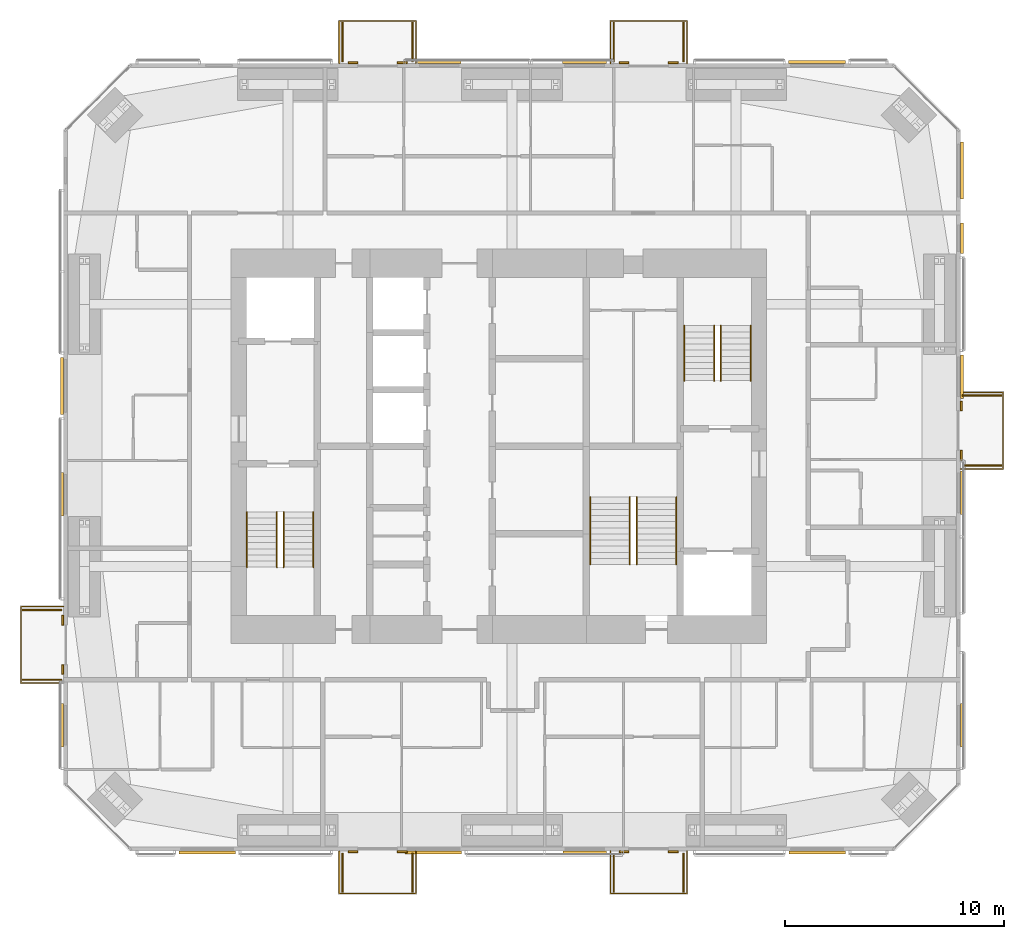
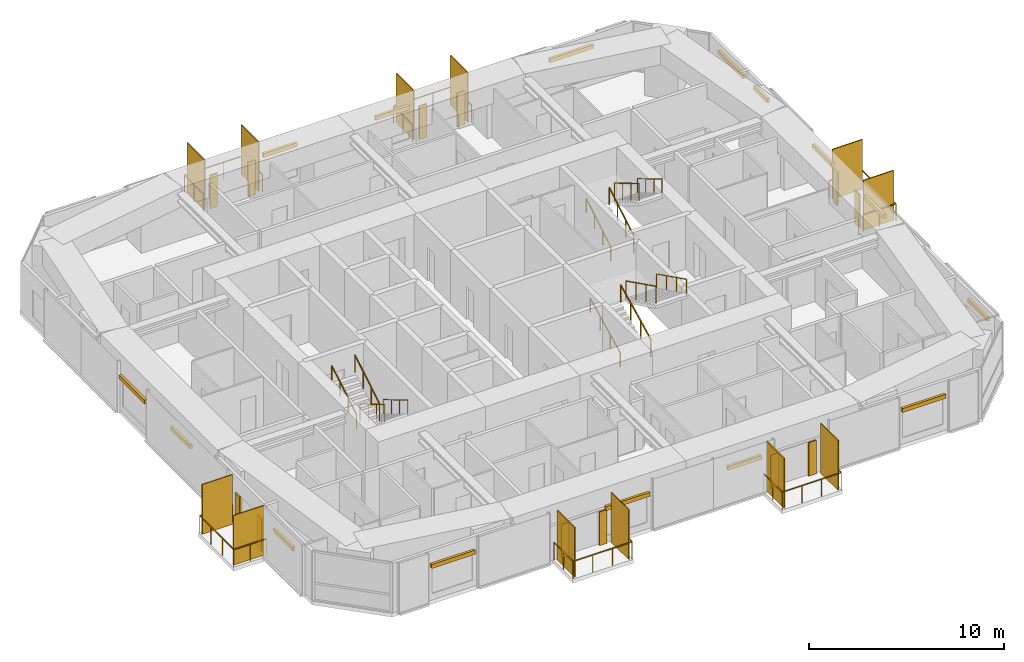
# One storey, part 22 of 22: 39 shading devices, 18 railings.
"""IFC4 building model written with IfcOpenShell, lengths in metres."""

from ifc_helpers import new_model, si_unit, direction, frame, origin, origin_2d, place, context, subcontext, project, spatial, rectangle, circle, extrude, material, layer, layer_set, constituent, constituent_set, type_object, element, save


model = new_model("IFC4")

# Units and contexts
model_context = context("Model", 3, precision=1e-05, world=origin(), true_north=direction((0.0, 1.0)))
body_context = subcontext(model_context, "Body", "Model", "MODEL_VIEW")
ifc_project = project(units=[si_unit("LENGTHUNIT", "METRE"), si_unit("AREAUNIT", "SQUARE_METRE"), si_unit("VOLUMEUNIT", "CUBIC_METRE"), si_unit("PLANEANGLEUNIT", "RADIAN"), si_unit("MASSUNIT", "GRAM", prefix="KILO")], contexts=[model_context])

# Site, building, storey
site_placement = place(None, origin())
site = spatial("IfcSite", under=ifc_project, at=site_placement, CompositionType="ELEMENT")
building_placement = place(site_placement, origin())
building = spatial("IfcBuilding", under=site, at=building_placement, Name="Jalousie Tower", CompositionType="ELEMENT")
storey_placement = place(building_placement, frame((0.0, 0.0, 177.800048828125)))
storey = spatial("IfcBuildingStorey", under=building, at=storey_placement, Name="L48", CompositionType="ELEMENT", Elevation=177.800048828125)

# Shading devices
ifc_material_1 = material(Name="Aluminium impact-rated louvred storm shutter", Category="aluminium")
shading_device_type_1 = type_object("IfcShadingDeviceType", Name="BI-FOLD STORM SHUTTER 900x2100", PredefinedType="SHUTTER", material=ifc_material_1)
for number, where, z_axis, x_axis, name in (
    (1, (25.22509765625, -0.0400390625, 0.0), (0.0, 0.0, 1.0), (1.0, 0.0, 0.0), "Balcony storm shutter L48"),
    (2, (27.47509765625, -0.0400390625, 0.0), (0.0, 0.0, 1.0), (1.0, 0.0, 0.0), "Balcony storm shutter L48"),
    (3, (37.625, -0.0400390625, 0.0), (0.0, 0.0, 1.0), (1.0, 0.0, 0.0), "Balcony storm shutter L48"),
    (4, (39.875, -0.0400390625, 0.0), (0.0, 0.0, 1.0), (1.0, 0.0, 0.0), "Balcony storm shutter L48"),
    (5, (53.0400390625, 18.10009765625, 0.0), (0.0, 0.0, 1.0), (0.0, 1.0, 0.0), "Balcony storm shutter L48"),
    (6, (53.0400390625, 20.35009765625, 0.0), (0.0, 0.0, 1.0), (0.0, 1.0, 0.0), "Balcony storm shutter L48"),
    (7, (39.875, 36.0400390625, 0.0), (0.0, 0.0, 1.0), (-1.0, 0.0, 0.0), "Balcony storm shutter L48"),
    (8, (37.625, 36.0400390625, 0.0), (0.0, 0.0, 1.0), (-1.0, 0.0, 0.0), "Balcony storm shutter L48"),
    (9, (27.47509765625, 36.0400390625, 0.0), (0.0, 0.0, 1.0), (-1.0, 0.0, 0.0), "Balcony storm shutter L48"),
    (10, (25.22509765625, 36.0400390625, 0.0), (0.0, 0.0, 1.0), (-1.0, 0.0, 0.0), "Balcony storm shutter L48"),
    (11, (11.9599609375, 10.550048828125, 0.0), (0.0, 0.0, 1.0), (0.0, -1.0, 0.0), "Balcony storm shutter L48"),
    (12, (11.9599609375, 8.300048828125, 0.0), (0.0, 0.0, 1.0), (0.0, -1.0, 0.0), "Balcony storm shutter L48"),
):
    element("IfcShadingDevice", number, at=place(storey_placement, frame(where, z_axis=z_axis, x_axis=x_axis)), inside=storey, type_object=shading_device_type_1, Name=name, PredefinedType="SHUTTER", context=body_context, shape_type="SweptSolid", body=[
        extrude(rectangle(XDim=0.449951171875, YDim=0.080078125, at=origin_2d()), origin(), (0.0, 0.0, 1.0), 2.10009765625),
    ])

# Railings
ifc_material_2 = material(Name="Powder-coated aluminium fretwork", Category="aluminium")
railing_type_1 = type_object("IfcRailingType", Name="FRETWORK BALUSTRADE 1100", PredefinedType="BALUSTRADE", material=ifc_material_2)
for number, where, name in (
    (13, (24.60009765625, 0.0, 0.0), "Balcony fretwork balustrade L48"),
    (14, (37.0, 0.0, 0.0), "Balcony fretwork balustrade L48"),
):
    element("IfcRailing", number, at=place(storey_placement, frame(where)), inside=storey, type_object=railing_type_1, Name=name, PredefinedType="BALUSTRADE", context=body_context, shape_type="SweptSolid", body=[
        extrude(rectangle(XDim=0.048095703125, YDim=0.048095703125, at=origin_2d()), frame((0.0, 0.0, 1.076171875), z_axis=(0.0, -1.0, 0.0), x_axis=(1.0, 0.0, 0.0)), (0.0, 0.0, 1.0), 1.949951171875),
        extrude(rectangle(XDim=0.048095703125, YDim=0.048095703125, at=origin_2d()), frame((0.0, -1.949951171875, 1.076171875), z_axis=(1.0, 0.0, 0.0), x_axis=(0.0, 1.0, 0.0)), (0.0, 0.0, 1.0), 3.5),
        extrude(rectangle(XDim=0.048095703125, YDim=0.048095703125, at=origin_2d()), frame((3.5, -1.949951171875, 1.076171875), z_axis=(0.0, 1.0, 0.0), x_axis=(-1.0, 0.0, 0.0)), (0.0, 0.0, 1.0), 1.949951171875),
        extrude(circle(Radius=0.02099609375, at=origin_2d()), origin(), (0.0, 0.0, 1.0), 1.052001953125),
        extrude(circle(Radius=0.02099609375, at=origin_2d()), frame((0.0, -0.97509765625, 0.0)), (0.0, 0.0, 1.0), 1.052001953125),
        extrude(circle(Radius=0.02099609375, at=origin_2d()), frame((0.0, -1.949951171875, 0.0)), (0.0, 0.0, 1.0), 1.052001953125),
        extrude(circle(Radius=0.02099609375, at=origin_2d()), frame((1.166748046875, -1.949951171875, 0.0)), (0.0, 0.0, 1.0), 1.052001953125),
        extrude(circle(Radius=0.02099609375, at=origin_2d()), frame((2.333251953125, -1.949951171875, 0.0)), (0.0, 0.0, 1.0), 1.052001953125),
        extrude(circle(Radius=0.02099609375, at=origin_2d()), frame((3.5, -1.949951171875, 0.0)), (0.0, 0.0, 1.0), 1.052001953125),
        extrude(circle(Radius=0.02099609375, at=origin_2d()), frame((3.5, -0.97509765625, 0.0)), (0.0, 0.0, 1.0), 1.052001953125),
        extrude(circle(Radius=0.02099609375, at=origin_2d()), frame((3.5, 0.0, 0.0)), (0.0, 0.0, 1.0), 1.052001953125),
    ])
railing_1_placement = place(storey_placement, frame((53.0, 17.47509765625, 0.0)))
element("IfcRailing", 15, at=railing_1_placement, inside=storey, type_object=railing_type_1, Name="Balcony fretwork balustrade L48", PredefinedType="BALUSTRADE", context=body_context, shape_type="SweptSolid", body=[
    extrude(rectangle(XDim=0.048095703125, YDim=0.048095703125, at=origin_2d()), frame((0.0, 0.0, 1.076171875), z_axis=(1.0, 0.0, 0.0), x_axis=(0.0, 1.0, 0.0)), (0.0, 0.0, 1.0), 1.949951171875),
    extrude(rectangle(XDim=0.048095703125, YDim=0.048095703125, at=origin_2d()), frame((1.949951171875, 0.0, 1.076171875), z_axis=(0.0, 1.0, 0.0), x_axis=(-1.0, 0.0, 0.0)), (0.0, 0.0, 1.0), 3.5),
    extrude(rectangle(XDim=0.048095703125, YDim=0.048095703125, at=origin_2d()), frame((1.949951171875, 3.5, 1.076171875), z_axis=(-1.0, 0.0, 0.0), x_axis=(0.0, -1.0, 0.0)), (0.0, 0.0, 1.0), 1.949951171875),
    extrude(circle(Radius=0.02099609375, at=origin_2d()), origin(), (0.0, 0.0, 1.0), 1.052001953125),
    extrude(circle(Radius=0.02099609375, at=origin_2d()), frame((0.97509765625, 0.0, 0.0)), (0.0, 0.0, 1.0), 1.052001953125),
    extrude(circle(Radius=0.02099609375, at=origin_2d()), frame((1.949951171875, 0.0, 0.0)), (0.0, 0.0, 1.0), 1.052001953125),
    extrude(circle(Radius=0.02099609375, at=origin_2d()), frame((1.949951171875, 1.166748046875, 0.0)), (0.0, 0.0, 1.0), 1.052001953125),
    extrude(circle(Radius=0.02099609375, at=origin_2d()), frame((1.949951171875, 2.333251953125, 0.0)), (0.0, 0.0, 1.0), 1.052001953125),
    extrude(circle(Radius=0.02099609375, at=origin_2d()), frame((1.949951171875, 3.5, 0.0)), (0.0, 0.0, 1.0), 1.052001953125),
    extrude(circle(Radius=0.02099609375, at=origin_2d()), frame((0.97509765625, 3.5, 0.0)), (0.0, 0.0, 1.0), 1.052001953125),
    extrude(circle(Radius=0.02099609375, at=origin_2d()), frame((0.0, 3.5, 0.0)), (0.0, 0.0, 1.0), 1.052001953125),
])
for number, where, name in (
    (16, (40.5, 36.0, 0.0), "Balcony fretwork balustrade L48"),
    (17, (28.10009765625, 36.0, 0.0), "Balcony fretwork balustrade L48"),
):
    element("IfcRailing", number, at=place(storey_placement, frame(where)), inside=storey, type_object=railing_type_1, Name=name, PredefinedType="BALUSTRADE", context=body_context, shape_type="SweptSolid", body=[
        extrude(rectangle(XDim=0.048095703125, YDim=0.048095703125, at=origin_2d()), frame((0.0, 0.0, 1.076171875), z_axis=(0.0, 1.0, 0.0), x_axis=(-1.0, 0.0, 0.0)), (0.0, 0.0, 1.0), 1.949951171875),
        extrude(rectangle(XDim=0.048095703125, YDim=0.048095703125, at=origin_2d()), frame((0.0, 1.949951171875, 1.076171875), z_axis=(-1.0, 0.0, 0.0), x_axis=(0.0, -1.0, 0.0)), (0.0, 0.0, 1.0), 3.5),
        extrude(rectangle(XDim=0.048095703125, YDim=0.048095703125, at=origin_2d()), frame((-3.5, 1.949951171875, 1.076171875), z_axis=(0.0, -1.0, 0.0), x_axis=(1.0, 0.0, 0.0)), (0.0, 0.0, 1.0), 1.949951171875),
        extrude(circle(Radius=0.02099609375, at=origin_2d()), origin(), (0.0, 0.0, 1.0), 1.052001953125),
        extrude(circle(Radius=0.02099609375, at=origin_2d()), frame((0.0, 0.97509765625, 0.0)), (0.0, 0.0, 1.0), 1.052001953125),
        extrude(circle(Radius=0.02099609375, at=origin_2d()), frame((0.0, 1.949951171875, 0.0)), (0.0, 0.0, 1.0), 1.052001953125),
        extrude(circle(Radius=0.02099609375, at=origin_2d()), frame((-1.166748046875, 1.949951171875, 0.0)), (0.0, 0.0, 1.0), 1.052001953125),
        extrude(circle(Radius=0.02099609375, at=origin_2d()), frame((-2.333251953125, 1.949951171875, 0.0)), (0.0, 0.0, 1.0), 1.052001953125),
        extrude(circle(Radius=0.02099609375, at=origin_2d()), frame((-3.5, 1.949951171875, 0.0)), (0.0, 0.0, 1.0), 1.052001953125),
        extrude(circle(Radius=0.02099609375, at=origin_2d()), frame((-3.5, 0.97509765625, 0.0)), (0.0, 0.0, 1.0), 1.052001953125),
        extrude(circle(Radius=0.02099609375, at=origin_2d()), frame((-3.5, 0.0, 0.0)), (0.0, 0.0, 1.0), 1.052001953125),
    ])
railing_2_placement = place(storey_placement, frame((12.0, 11.175048828125, 0.0)))
element("IfcRailing", 18, at=railing_2_placement, inside=storey, type_object=railing_type_1, Name="Balcony fretwork balustrade L48", PredefinedType="BALUSTRADE", context=body_context, shape_type="SweptSolid", body=[
    extrude(rectangle(XDim=0.048095703125, YDim=0.048095703125, at=origin_2d()), frame((0.0, 0.0, 1.076171875), z_axis=(-1.0, 0.0, 0.0), x_axis=(0.0, -1.0, 0.0)), (0.0, 0.0, 1.0), 1.949951171875),
    extrude(rectangle(XDim=0.048095703125, YDim=0.048095703125, at=origin_2d()), frame((-1.949951171875, 0.0, 1.076171875), z_axis=(0.0, -1.0, 0.0), x_axis=(1.0, 0.0, 0.0)), (0.0, 0.0, 1.0), 3.5),
    extrude(rectangle(XDim=0.048095703125, YDim=0.048095703125, at=origin_2d()), frame((-1.949951171875, -3.5, 1.076171875), z_axis=(1.0, 0.0, 0.0), x_axis=(0.0, 1.0, 0.0)), (0.0, 0.0, 1.0), 1.949951171875),
    extrude(circle(Radius=0.02099609375, at=origin_2d()), origin(), (0.0, 0.0, 1.0), 1.052001953125),
    extrude(circle(Radius=0.02099609375, at=origin_2d()), frame((-0.97509765625, 0.0, 0.0)), (0.0, 0.0, 1.0), 1.052001953125),
    extrude(circle(Radius=0.02099609375, at=origin_2d()), frame((-1.949951171875, 0.0, 0.0)), (0.0, 0.0, 1.0), 1.052001953125),
    extrude(circle(Radius=0.02099609375, at=origin_2d()), frame((-1.949951171875, -1.166748046875, 0.0)), (0.0, 0.0, 1.0), 1.052001953125),
    extrude(circle(Radius=0.02099609375, at=origin_2d()), frame((-1.949951171875, -2.333251953125, 0.0)), (0.0, 0.0, 1.0), 1.052001953125),
    extrude(circle(Radius=0.02099609375, at=origin_2d()), frame((-1.949951171875, -3.5, 0.0)), (0.0, 0.0, 1.0), 1.052001953125),
    extrude(circle(Radius=0.02099609375, at=origin_2d()), frame((-0.97509765625, -3.5, 0.0)), (0.0, 0.0, 1.0), 1.052001953125),
    extrude(circle(Radius=0.02099609375, at=origin_2d()), frame((0.0, -3.5, 0.0)), (0.0, 0.0, 1.0), 1.052001953125),
])

# Shading devices
ifc_material_3 = material(Name="Powder-coated aluminium louvres", Category="aluminium")
ifc_layer = layer(ifc_material_3, 0.06005859375)
ifc_layer_set = layer_set([ifc_layer], Name="Powder-coated aluminium louvres")
shading_device_type_2 = type_object("IfcShadingDeviceType", Name="JALOUSIE LOUVRE SCREEN", PredefinedType="JALOUSIE", material=ifc_layer_set)
for number, where, z_axis, x_axis, name in (
    (19, (24.75, -1.0, 0.0), (0.0, 0.0, 1.0), (1.0, 0.0, 0.0), "Jalousie louvre screen L48"),
    (20, (27.949951171875, -1.0, 0.0), (0.0, 0.0, 1.0), (1.0, 0.0, 0.0), "Jalousie louvre screen L48"),
    (21, (37.14990234375, -1.0, 0.0), (0.0, 0.0, 1.0), (1.0, 0.0, 0.0), "Jalousie louvre screen L48"),
    (22, (40.35009765625, -1.0, 0.0), (0.0, 0.0, 1.0), (1.0, 0.0, 0.0), "Jalousie louvre screen L48"),
    (23, (54.0, 17.625, 0.0), (0.0, 0.0, 1.0), (0.0, 1.0, 0.0), "Jalousie louvre screen L48"),
    (24, (54.0, 20.824951171875, 0.0), (0.0, 0.0, 1.0), (0.0, 1.0, 0.0), "Jalousie louvre screen L48"),
    (25, (40.35009765625, 37.0, 0.0), (0.0, 0.0, 1.0), (-1.0, 0.0, 0.0), "Jalousie louvre screen L48"),
    (26, (37.14990234375, 37.0, 0.0), (0.0, 0.0, 1.0), (-1.0, 0.0, 0.0), "Jalousie louvre screen L48"),
    (27, (27.949951171875, 37.0, 0.0), (0.0, 0.0, 1.0), (-1.0, 0.0, 0.0), "Jalousie louvre screen L48"),
    (28, (24.75, 37.0, 0.0), (0.0, 0.0, 1.0), (-1.0, 0.0, 0.0), "Jalousie louvre screen L48"),
    (29, (11.0, 11.02490234375, 0.0), (0.0, 0.0, 1.0), (0.0, -1.0, 0.0), "Jalousie louvre screen L48"),
    (30, (11.0, 7.824951171875, 0.0), (0.0, 0.0, 1.0), (0.0, -1.0, 0.0), "Jalousie louvre screen L48"),
):
    element("IfcShadingDevice", number, at=place(storey_placement, frame(where, z_axis=z_axis, x_axis=x_axis)), inside=storey, type_object=shading_device_type_2, Name=name, PredefinedType="JALOUSIE", context=body_context, shape_type="SweptSolid", body=[
        extrude(rectangle(XDim=0.06005859375, YDim=1.800048828125, at=origin_2d()), origin(), (0.0, 0.0, 1.0), 3.110107421875),
    ])

# Railings
ifc_material_4 = material(Name="Steel ASTM A500 Grade C", Category="steel")
ifc_constituent_1 = constituent(ifc_material_4, Name="Body")
ifc_material_5 = material(Name="Hot-dip galvanised zinc coating")
ifc_constituent_2 = constituent(ifc_material_5, Name="Finish")
ifc_constituent_set_1 = constituent_set(constituents=[ifc_constituent_1, ifc_constituent_2])
railing_type_2 = type_object("IfcRailingType", Name="STAIR GUARD 1100", PredefinedType="GUARDRAIL", material=ifc_constituent_set_1)
railing_3_placement = place(storey_placement, frame((22.054931640625, 15.49755859375, 0.16748046875)))
element("IfcRailing", 31, at=railing_3_placement, inside=storey, type_object=railing_type_2, Name="Exit stair A guard L48 flight 1", PredefinedType="GUARDRAIL", context=body_context, shape_type="SweptSolid", body=[
    extrude(rectangle(XDim=0.048095703125, YDim=0.048095703125, at=origin_2d()), frame((0.0, 0.0, 1.076171875), z_axis=(0.0, -0.858159760407, 0.513382728203), x_axis=(1.0, 0.0, 0.0)), (0.0, 0.0, 1.0), 2.9365234375),
    extrude(circle(Radius=0.02099609375, at=origin_2d()), origin(), (0.0, 0.0, 1.0), 1.052001953125),
    extrude(circle(Radius=0.02099609375, at=origin_2d()), frame((0.0, -0.840087890625, 0.50244140625)), (0.0, 0.0, 1.0), 1.052001953125),
    extrude(circle(Radius=0.02099609375, at=origin_2d()), frame((0.0, -1.679931640625, 1.005126953125)), (0.0, 0.0, 1.0), 1.052001953125),
    extrude(circle(Radius=0.02099609375, at=origin_2d()), frame((0.0, -2.52001953125, 1.507568359375)), (0.0, 0.0, 1.0), 1.052001953125),
])
railing_4_placement = place(storey_placement, frame((21.7451171875, 12.9775390625, 1.842529296875)))
element("IfcRailing", 32, at=railing_4_placement, inside=storey, type_object=railing_type_2, Name="Exit stair A guard L48 flight 2", PredefinedType="GUARDRAIL", context=body_context, shape_type="SweptSolid", body=[
    extrude(rectangle(XDim=0.048095703125, YDim=0.048095703125, at=origin_2d()), frame((0.0, 0.0, 1.076171875), z_axis=(0.0, 0.858196387827, 0.513321497621), x_axis=(-1.0, 0.0, 0.0)), (0.0, 0.0, 1.0), 2.9365234375),
    extrude(circle(Radius=0.02099609375, at=origin_2d()), origin(), (0.0, 0.0, 1.0), 1.052001953125),
    extrude(circle(Radius=0.02099609375, at=origin_2d()), frame((0.0, 0.840087890625, 0.50244140625)), (0.0, 0.0, 1.0), 1.052001953125),
    extrude(circle(Radius=0.02099609375, at=origin_2d()), frame((0.0, 1.679931640625, 1.0048828125)), (0.0, 0.0, 1.0), 1.052001953125),
    extrude(circle(Radius=0.02099609375, at=origin_2d()), frame((0.0, 2.52001953125, 1.50732421875)), (0.0, 0.0, 1.0), 1.052001953125),
])
railing_5_placement = place(storey_placement, frame((41.7451171875, 21.50244140625, 0.16748046875)))
element("IfcRailing", 33, at=railing_5_placement, inside=storey, type_object=railing_type_2, Name="Exit stair B guard L48 flight 1", PredefinedType="GUARDRAIL", context=body_context, shape_type="SweptSolid", body=[
    extrude(rectangle(XDim=0.048095703125, YDim=0.048095703125, at=origin_2d()), frame((0.0, 0.0, 1.076171875), z_axis=(0.0, 0.858159760407, 0.513382728203), x_axis=(-1.0, 0.0, 0.0)), (0.0, 0.0, 1.0), 2.9365234375),
    extrude(circle(Radius=0.02099609375, at=origin_2d()), origin(), (0.0, 0.0, 1.0), 1.052001953125),
    extrude(circle(Radius=0.02099609375, at=origin_2d()), frame((0.0, 0.840087890625, 0.50244140625)), (0.0, 0.0, 1.0), 1.052001953125),
    extrude(circle(Radius=0.02099609375, at=origin_2d()), frame((0.0, 1.679931640625, 1.005126953125)), (0.0, 0.0, 1.0), 1.052001953125),
    extrude(circle(Radius=0.02099609375, at=origin_2d()), frame((0.0, 2.52001953125, 1.507568359375)), (0.0, 0.0, 1.0), 1.052001953125),
])
railing_6_placement = place(storey_placement, frame((42.054931640625, 24.0224609375, 1.842529296875)))
element("IfcRailing", 34, at=railing_6_placement, inside=storey, type_object=railing_type_2, Name="Exit stair B guard L48 flight 2", PredefinedType="GUARDRAIL", context=body_context, shape_type="SweptSolid", body=[
    extrude(rectangle(XDim=0.048095703125, YDim=0.048095703125, at=origin_2d()), frame((0.0, 0.0, 1.076171875), z_axis=(0.0, -0.858196387827, 0.513321497621), x_axis=(1.0, 0.0, 0.0)), (0.0, 0.0, 1.0), 2.9365234375),
    extrude(circle(Radius=0.02099609375, at=origin_2d()), origin(), (0.0, 0.0, 1.0), 1.052001953125),
    extrude(circle(Radius=0.02099609375, at=origin_2d()), frame((0.0, -0.840087890625, 0.50244140625)), (0.0, 0.0, 1.0), 1.052001953125),
    extrude(circle(Radius=0.02099609375, at=origin_2d()), frame((0.0, -1.679931640625, 1.0048828125)), (0.0, 0.0, 1.0), 1.052001953125),
    extrude(circle(Radius=0.02099609375, at=origin_2d()), frame((0.0, -2.52001953125, 1.50732421875)), (0.0, 0.0, 1.0), 1.052001953125),
])
railing_7_placement = place(storey_placement, frame((37.89501953125, 13.097412109375, 0.1396484375)))
element("IfcRailing", 35, at=railing_7_placement, inside=storey, type_object=railing_type_2, Name="Exit stair C guard L48 flight 1", PredefinedType="GUARDRAIL", context=body_context, shape_type="SweptSolid", body=[
    extrude(rectangle(XDim=0.048095703125, YDim=0.048095703125, at=origin_2d()), frame((0.0, 0.0, 1.076171875), z_axis=(0.0, 0.894965676997, 0.446134998624), x_axis=(-1.0, 0.0, 0.0)), (0.0, 0.0, 1.0), 3.441650390625),
    extrude(circle(Radius=0.02099609375, at=origin_2d()), origin(), (0.0, 0.0, 1.0), 1.052001953125),
    extrude(circle(Radius=0.02099609375, at=origin_2d()), frame((0.0, 1.026611328125, 0.51171875)), (0.0, 0.0, 1.0), 1.052001953125),
    extrude(circle(Radius=0.02099609375, at=origin_2d()), frame((0.0, 2.053466796875, 1.023681640625)), (0.0, 0.0, 1.0), 1.052001953125),
    extrude(circle(Radius=0.02099609375, at=origin_2d()), frame((0.0, 3.080078125, 1.535400390625)), (0.0, 0.0, 1.0), 1.052001953125),
])
railing_8_placement = place(storey_placement, frame((38.205078125, 16.177490234375, 1.814453125)))
element("IfcRailing", 36, at=railing_8_placement, inside=storey, type_object=railing_type_2, Name="Exit stair C guard L48 flight 2", PredefinedType="GUARDRAIL", context=body_context, shape_type="SweptSolid", body=[
    extrude(rectangle(XDim=0.048095703125, YDim=0.048095703125, at=origin_2d()), frame((0.0, 0.0, 1.076171875), z_axis=(0.0, -0.894965676997, 0.446134998624), x_axis=(1.0, 0.0, 0.0)), (0.0, 0.0, 1.0), 3.441650390625),
    extrude(circle(Radius=0.02099609375, at=origin_2d()), origin(), (0.0, 0.0, 1.0), 1.052001953125),
    extrude(circle(Radius=0.02099609375, at=origin_2d()), frame((0.0, -1.026611328125, 0.51171875)), (0.0, 0.0, 1.0), 1.052001953125),
    extrude(circle(Radius=0.02099609375, at=origin_2d()), frame((0.0, -2.053466796875, 1.023681640625)), (0.0, 0.0, 1.0), 1.052001953125),
    extrude(circle(Radius=0.02099609375, at=origin_2d()), frame((0.0, -3.080078125, 1.535400390625)), (0.0, 0.0, 1.0), 1.052001953125),
])
ifc_material_6 = material(Name="Steel ASTM A500 Grade C", Category="steel")
ifc_constituent_3 = constituent(ifc_material_6, Name="Body")
ifc_material_7 = material(Name="Hot-dip galvanised zinc coating")
ifc_constituent_4 = constituent(ifc_material_7, Name="Finish")
ifc_constituent_set_2 = constituent_set(constituents=[ifc_constituent_3, ifc_constituent_4])
railing_type_3 = type_object("IfcRailingType", Name="STAIR HANDRAIL 900", PredefinedType="HANDRAIL", material=ifc_constituent_set_2)
railing_9_placement = place(storey_placement, frame((23.419921875, 15.49755859375, 0.16748046875)))
element("IfcRailing", 37, at=railing_9_placement, inside=storey, type_object=railing_type_3, Name="Exit stair A handrail L48 flight 1", PredefinedType="HANDRAIL", context=body_context, shape_type="SweptSolid", body=[
    extrude(circle(Radius=0.02392578125, at=origin_2d()), frame((0.0, 0.0, 0.8759765625), z_axis=(0.0, -0.858159760407, 0.513382728203), x_axis=(1.0, 0.0, 0.0)), (0.0, 0.0, 1.0), 2.9365234375),
    extrude(circle(Radius=0.02099609375, at=origin_2d()), origin(), (0.0, 0.0, 1.0), 0.851806640625),
    extrude(circle(Radius=0.02099609375, at=origin_2d()), frame((0.0, -0.840087890625, 0.50244140625)), (0.0, 0.0, 1.0), 0.851806640625),
    extrude(circle(Radius=0.02099609375, at=origin_2d()), frame((0.0, -1.679931640625, 1.005126953125)), (0.0, 0.0, 1.0), 0.851806640625),
    extrude(circle(Radius=0.02099609375, at=origin_2d()), frame((0.0, -2.52001953125, 1.507568359375)), (0.0, 0.0, 1.0), 0.851806640625),
])
railing_10_placement = place(storey_placement, frame((20.3798828125, 12.9775390625, 1.842529296875)))
element("IfcRailing", 38, at=railing_10_placement, inside=storey, type_object=railing_type_3, Name="Exit stair A handrail L48 flight 2", PredefinedType="HANDRAIL", context=body_context, shape_type="SweptSolid", body=[
    extrude(circle(Radius=0.02392578125, at=origin_2d()), frame((0.0, 0.0, 0.8759765625), z_axis=(0.0, 0.858196387827, 0.513321497621), x_axis=(-1.0, 0.0, 0.0)), (0.0, 0.0, 1.0), 2.9365234375),
    extrude(circle(Radius=0.02099609375, at=origin_2d()), origin(), (0.0, 0.0, 1.0), 0.851806640625),
    extrude(circle(Radius=0.02099609375, at=origin_2d()), frame((0.0, 0.840087890625, 0.50244140625)), (0.0, 0.0, 1.0), 0.851806640625),
    extrude(circle(Radius=0.02099609375, at=origin_2d()), frame((0.0, 1.679931640625, 1.0048828125)), (0.0, 0.0, 1.0), 0.851806640625),
    extrude(circle(Radius=0.02099609375, at=origin_2d()), frame((0.0, 2.52001953125, 1.50732421875)), (0.0, 0.0, 1.0), 0.851806640625),
])
railing_11_placement = place(storey_placement, frame((40.3798828125, 21.50244140625, 0.16748046875)))
element("IfcRailing", 39, at=railing_11_placement, inside=storey, type_object=railing_type_3, Name="Exit stair B handrail L48 flight 1", PredefinedType="HANDRAIL", context=body_context, shape_type="SweptSolid", body=[
    extrude(circle(Radius=0.02392578125, at=origin_2d()), frame((0.0, 0.0, 0.8759765625), z_axis=(0.0, 0.858159760407, 0.513382728203), x_axis=(-1.0, 0.0, 0.0)), (0.0, 0.0, 1.0), 2.9365234375),
    extrude(circle(Radius=0.02099609375, at=origin_2d()), origin(), (0.0, 0.0, 1.0), 0.851806640625),
    extrude(circle(Radius=0.02099609375, at=origin_2d()), frame((0.0, 0.840087890625, 0.50244140625)), (0.0, 0.0, 1.0), 0.851806640625),
    extrude(circle(Radius=0.02099609375, at=origin_2d()), frame((0.0, 1.679931640625, 1.005126953125)), (0.0, 0.0, 1.0), 0.851806640625),
    extrude(circle(Radius=0.02099609375, at=origin_2d()), frame((0.0, 2.52001953125, 1.507568359375)), (0.0, 0.0, 1.0), 0.851806640625),
])
railing_12_placement = place(storey_placement, frame((43.419921875, 24.0224609375, 1.842529296875)))
element("IfcRailing", 40, at=railing_12_placement, inside=storey, type_object=railing_type_3, Name="Exit stair B handrail L48 flight 2", PredefinedType="HANDRAIL", context=body_context, shape_type="SweptSolid", body=[
    extrude(circle(Radius=0.02392578125, at=origin_2d()), frame((0.0, 0.0, 0.8759765625), z_axis=(0.0, -0.858196387827, 0.513321497621), x_axis=(1.0, 0.0, 0.0)), (0.0, 0.0, 1.0), 2.9365234375),
    extrude(circle(Radius=0.02099609375, at=origin_2d()), origin(), (0.0, 0.0, 1.0), 0.851806640625),
    extrude(circle(Radius=0.02099609375, at=origin_2d()), frame((0.0, -0.840087890625, 0.50244140625)), (0.0, 0.0, 1.0), 0.851806640625),
    extrude(circle(Radius=0.02099609375, at=origin_2d()), frame((0.0, -1.679931640625, 1.0048828125)), (0.0, 0.0, 1.0), 0.851806640625),
    extrude(circle(Radius=0.02099609375, at=origin_2d()), frame((0.0, -2.52001953125, 1.50732421875)), (0.0, 0.0, 1.0), 0.851806640625),
])
railing_13_placement = place(storey_placement, frame((36.080078125, 13.097412109375, 0.1396484375)))
element("IfcRailing", 41, at=railing_13_placement, inside=storey, type_object=railing_type_3, Name="Exit stair C handrail L48 flight 1", PredefinedType="HANDRAIL", context=body_context, shape_type="SweptSolid", body=[
    extrude(circle(Radius=0.02392578125, at=origin_2d()), frame((0.0, 0.0, 0.8759765625), z_axis=(0.0, 0.894965676997, 0.446134998624), x_axis=(-1.0, 0.0, 0.0)), (0.0, 0.0, 1.0), 3.441650390625),
    extrude(circle(Radius=0.02099609375, at=origin_2d()), origin(), (0.0, 0.0, 1.0), 0.851806640625),
    extrude(circle(Radius=0.02099609375, at=origin_2d()), frame((0.0, 1.026611328125, 0.51171875)), (0.0, 0.0, 1.0), 0.851806640625),
    extrude(circle(Radius=0.02099609375, at=origin_2d()), frame((0.0, 2.053466796875, 1.023681640625)), (0.0, 0.0, 1.0), 0.851806640625),
    extrude(circle(Radius=0.02099609375, at=origin_2d()), frame((0.0, 3.080078125, 1.535400390625)), (0.0, 0.0, 1.0), 0.851806640625),
])
railing_14_placement = place(storey_placement, frame((40.02001953125, 16.177490234375, 1.814453125)))
element("IfcRailing", 42, at=railing_14_placement, inside=storey, type_object=railing_type_3, Name="Exit stair C handrail L48 flight 2", PredefinedType="HANDRAIL", context=body_context, shape_type="SweptSolid", body=[
    extrude(circle(Radius=0.02392578125, at=origin_2d()), frame((0.0, 0.0, 0.8759765625), z_axis=(0.0, -0.894965676997, 0.446134998624), x_axis=(1.0, 0.0, 0.0)), (0.0, 0.0, 1.0), 3.441650390625),
    extrude(circle(Radius=0.02099609375, at=origin_2d()), origin(), (0.0, 0.0, 1.0), 0.851806640625),
    extrude(circle(Radius=0.02099609375, at=origin_2d()), frame((0.0, -1.026611328125, 0.51171875)), (0.0, 0.0, 1.0), 0.851806640625),
    extrude(circle(Radius=0.02099609375, at=origin_2d()), frame((0.0, -2.053466796875, 1.023681640625)), (0.0, 0.0, 1.0), 0.851806640625),
    extrude(circle(Radius=0.02099609375, at=origin_2d()), frame((0.0, -3.080078125, 1.535400390625)), (0.0, 0.0, 1.0), 0.851806640625),
])

# Shading devices
ifc_material_8 = material(Name="Aluminium roller storm shutter", Category="aluminium")
shading_device_type_3 = type_object("IfcShadingDeviceType", Name="STORM SHUTTER HOUSING", PredefinedType="SHUTTER", material=ifc_material_8)
for number, where, z_axis, x_axis, name in (
    (43, (18.560791015625, -0.074951171875, 2.099853515625), (0.0, 0.0, 1.0), (1.0, 0.0, 0.0), "Storm shutter L48"),
    (44, (28.89990234375, -0.074951171875, 2.099853515625), (0.0, 0.0, 1.0), (1.0, 0.0, 0.0), "Storm shutter L48"),
):
    element("IfcShadingDevice", number, at=place(storey_placement, frame(where, z_axis=z_axis, x_axis=x_axis)), inside=storey, type_object=shading_device_type_3, Name=name, PredefinedType="SHUTTER", context=body_context, shape_type="SweptSolid", body=[
        extrude(rectangle(XDim=2.60009765625, YDim=0.14990234375, at=origin_2d()), origin(), (0.0, 0.0, 1.0), 0.25),
    ])
shading_device_1_placement = place(storey_placement, frame((35.824951171875, -0.074951171875, 2.099853515625), z_axis=(0.0, 0.0, 1.0), x_axis=(1.0, 0.0, 0.0)))
element("IfcShadingDevice", 45, at=shading_device_1_placement, inside=storey, type_object=shading_device_type_3, Name="Storm shutter L48", PredefinedType="SHUTTER", context=body_context, shape_type="SweptSolid", body=[
    extrude(rectangle(XDim=2.0, YDim=0.14990234375, at=origin_2d()), origin(), (0.0, 0.0, 1.0), 0.25),
])
shading_device_2_placement = place(storey_placement, frame((46.456787109375, -0.074951171875, 2.099853515625), z_axis=(0.0, 0.0, 1.0), x_axis=(1.0, 0.0, 0.0)))
element("IfcShadingDevice", 46, at=shading_device_2_placement, inside=storey, type_object=shading_device_type_3, Name="Storm shutter L48", PredefinedType="SHUTTER", context=body_context, shape_type="SweptSolid", body=[
    extrude(rectangle(XDim=2.60009765625, YDim=0.14990234375, at=origin_2d()), origin(), (0.0, 0.0, 1.0), 0.25),
])
for number, where, z_axis, x_axis, name in (
    (47, (53.074951171875, 5.748046875, 2.099853515625), (0.0, 0.0, 1.0), (0.0, 1.0, 0.0), "Storm shutter L48"),
    (48, (53.074951171875, 16.375, 2.099853515625), (0.0, 0.0, 1.0), (0.0, 1.0, 0.0), "Storm shutter L48"),
    (49, (53.074951171875, 21.6875, 2.099853515625), (0.0, 0.0, 1.0), (0.0, 1.0, 0.0), "Storm shutter L48"),
):
    element("IfcShadingDevice", number, at=place(storey_placement, frame(where, z_axis=z_axis, x_axis=x_axis)), inside=storey, type_object=shading_device_type_3, Name=name, PredefinedType="SHUTTER", context=body_context, shape_type="SweptSolid", body=[
        extrude(rectangle(XDim=2.0, YDim=0.14990234375, at=origin_2d()), origin(), (0.0, 0.0, 1.0), 0.25),
    ])
shading_device_3_placement = place(storey_placement, frame((53.074951171875, 28.0244140625, 2.099853515625), z_axis=(0.0, 0.0, 1.0), x_axis=(0.0, 1.0, 0.0)))
element("IfcShadingDevice", 50, at=shading_device_3_placement, inside=storey, type_object=shading_device_type_3, Name="Storm shutter L48", PredefinedType="SHUTTER", context=body_context, shape_type="SweptSolid", body=[
    extrude(rectangle(XDim=1.39990234375, YDim=0.14990234375, at=origin_2d()), origin(), (0.0, 0.0, 1.0), 0.25),
])
for number, where, z_axis, x_axis, name in (
    (51, (53.074951171875, 31.11181640625, 2.099853515625), (0.0, 0.0, 1.0), (0.0, 1.0, 0.0), "Storm shutter L48"),
    (52, (46.44921875, 36.074951171875, 2.099853515625), (0.0, 0.0, 1.0), (-1.0, 0.0, 0.0), "Storm shutter L48"),
):
    element("IfcShadingDevice", number, at=place(storey_placement, frame(where, z_axis=z_axis, x_axis=x_axis)), inside=storey, type_object=shading_device_type_3, Name=name, PredefinedType="SHUTTER", context=body_context, shape_type="SweptSolid", body=[
        extrude(rectangle(XDim=2.60009765625, YDim=0.14990234375, at=origin_2d()), origin(), (0.0, 0.0, 1.0), 0.25),
    ])
for number, where, z_axis, x_axis, name in (
    (53, (35.820068359375, 36.074951171875, 2.099853515625), (0.0, 0.0, 1.0), (-1.0, 0.0, 0.0), "Storm shutter L48"),
    (54, (29.169921875, 36.074951171875, 2.099853515625), (0.0, 0.0, 1.0), (-1.0, 0.0, 0.0), "Storm shutter L48"),
):
    element("IfcShadingDevice", number, at=place(storey_placement, frame(where, z_axis=z_axis, x_axis=x_axis)), inside=storey, type_object=shading_device_type_3, Name=name, PredefinedType="SHUTTER", context=body_context, shape_type="SweptSolid", body=[
        extrude(rectangle(XDim=2.0, YDim=0.14990234375, at=origin_2d()), origin(), (0.0, 0.0, 1.0), 0.25),
    ])
shading_device_4_placement = place(storey_placement, frame((11.925048828125, 21.266845703125, 2.099853515625), z_axis=(0.0, 0.0, 1.0), x_axis=(0.0, -1.0, 0.0)))
element("IfcShadingDevice", 55, at=shading_device_4_placement, inside=storey, type_object=shading_device_type_3, Name="Storm shutter L48", PredefinedType="SHUTTER", context=body_context, shape_type="SweptSolid", body=[
    extrude(rectangle(XDim=2.60009765625, YDim=0.14990234375, at=origin_2d()), origin(), (0.0, 0.0, 1.0), 0.25),
])
for number, where, z_axis, x_axis, name in (
    (56, (11.925048828125, 16.313720703125, 2.099853515625), (0.0, 0.0, 1.0), (0.0, -1.0, 0.0), "Storm shutter L48"),
    (57, (11.925048828125, 5.748291015625, 2.099853515625), (0.0, 0.0, 1.0), (0.0, -1.0, 0.0), "Storm shutter L48"),
):
    element("IfcShadingDevice", number, at=place(storey_placement, frame(where, z_axis=z_axis, x_axis=x_axis)), inside=storey, type_object=shading_device_type_3, Name=name, PredefinedType="SHUTTER", context=body_context, shape_type="SweptSolid", body=[
        extrude(rectangle(XDim=2.0, YDim=0.14990234375, at=origin_2d()), origin(), (0.0, 0.0, 1.0), 0.25),
    ])

save(model, "model.ifc")
